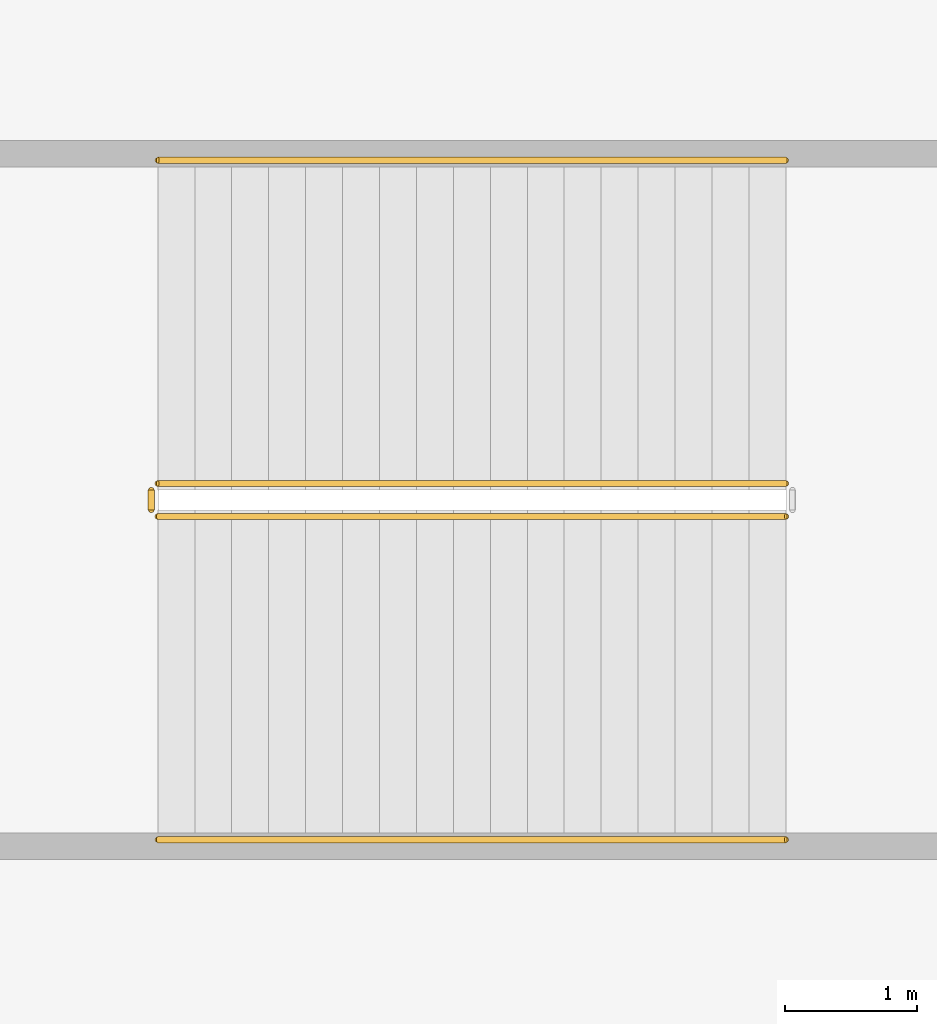
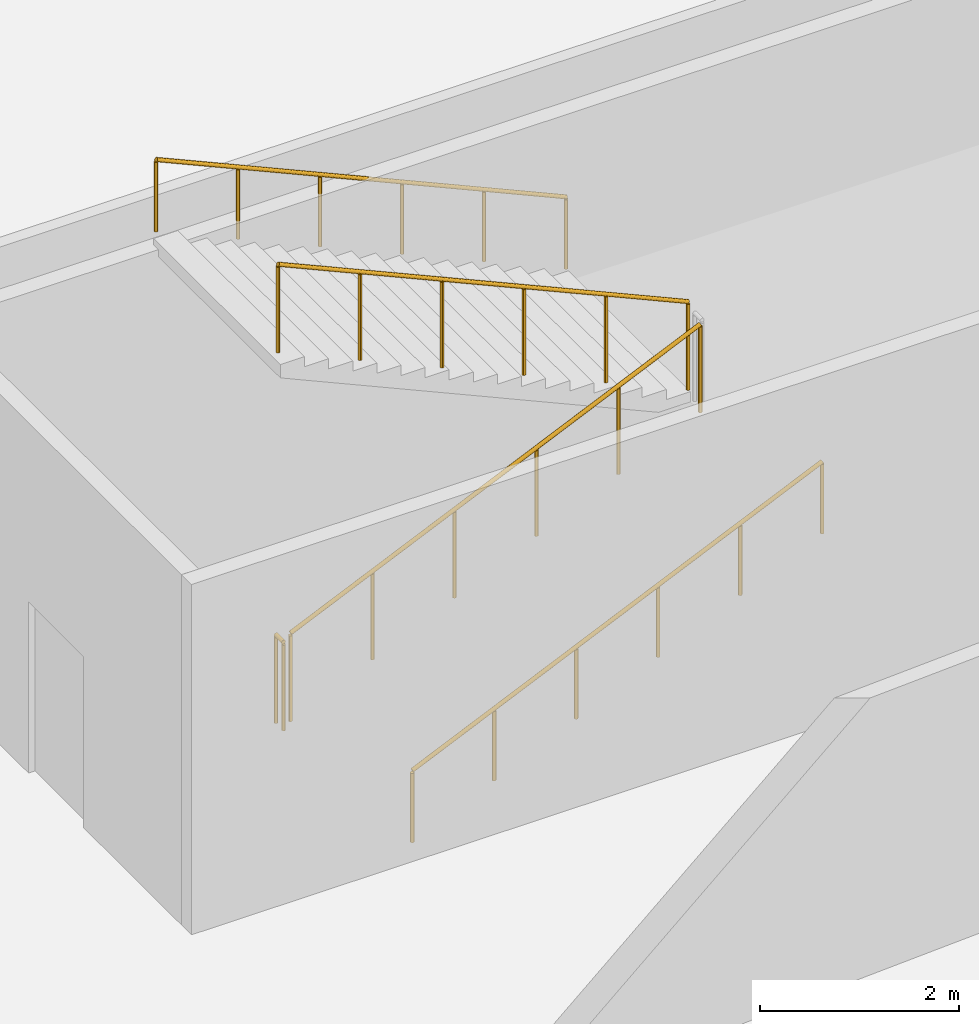
# One storey, part 18 of 21: 5 railings.
"""IFC4 building model written with IfcOpenShell, lengths in metres."""

import ifcopenshell
import ifcopenshell.guid

model = None  # the IFC model being written
_history = None  # IfcOwnerHistory: only IFC2X3 demands one
_inside = {}  # id of a spatial element -> (the spatial element, [elements in it])
_under = {}  # id of a project, library or spatial element -> (it, [spatial elements below it])
_declared = {}  # id of a project -> (the project, [libraries it declares])
_typed = {}  # id of a type object -> (the type object, [elements of that type])
_made_of = {}  # id of a material, layer set ... -> (it, [elements and type objects made of it])


def new_model(schema):
    """Start an empty IFC model of exactly this schema.

    Asked for "IFC4X3", IfcOpenShell would pick the latest addendum, in which some entities
    have other attributes; the version numbers below select the first issue.
    IFC2X3 requires an IfcOwnerHistory on every rooted entity: one is made here for all.
    """
    global model, _history
    if schema == "IFC4X3":
        model = ifcopenshell.file(schema_version=(4, 3, 0, 0))
    else:
        model = ifcopenshell.file(schema=schema)
    _inside.clear()
    _under.clear()
    _declared.clear()
    _typed.clear()
    _made_of.clear()
    _history = None
    if model.schema == "IFC2X3":
        org = make("IfcOrganization", Name="unknown")
        user = make(
            "IfcPersonAndOrganization",
            ThePerson=make("IfcPerson", FamilyName="unknown"),
            TheOrganization=org,
        )
        app = make(
            "IfcApplication",
            ApplicationDeveloper=org,
            Version="unknown",
            ApplicationFullName="unknown",
            ApplicationIdentifier="unknown",
        )
        _history = make(
            "IfcOwnerHistory",
            OwningUser=user,
            OwningApplication=app,
            ChangeAction="ADDED",
            CreationDate=0,
        )
    return model


def make(cls, **values):
    """One entity of the class cls with the attributes given. An attribute that is None is left unset."""
    return model.create_entity(
        cls, **{name: value for name, value in values.items() if value is not None}
    )


def rooted(cls, **values):
    """An entity with a GlobalId (a new one), such as an element, a storey or a relation."""
    return make(cls, GlobalId=ifcopenshell.guid.new(), OwnerHistory=_history, **values)


def si_unit(unit_type, name, prefix=None):
    """IfcSIUnit, for example si_unit("LENGTHUNIT", "METRE", prefix="MILLI")."""
    return make("IfcSIUnit", UnitType=unit_type, Prefix=prefix, Name=name)


def assignment(units):
    """IfcUnitAssignment: the units of a project."""
    return None if units is None else make("IfcUnitAssignment", Units=units)


def point(xyz):
    """IfcCartesianPoint."""
    return None if xyz is None else make("IfcCartesianPoint", Coordinates=xyz)


def direction(xyz):
    """IfcDirection."""
    return None if xyz is None else make("IfcDirection", DirectionRatios=xyz)


def frame(location, z_axis=None, x_axis=None):
    """IfcAxis2Placement3D, a coordinate frame: its origin and axes. An axis left out is left unset."""
    return make(
        "IfcAxis2Placement3D",
        Location=point(location),
        Axis=direction(z_axis),
        RefDirection=direction(x_axis),
    )


def frame_2d(location, x_axis=None):
    """IfcAxis2Placement2D, a coordinate frame in the plane: its origin and x axis."""
    return make(
        "IfcAxis2Placement2D", Location=point(location), RefDirection=direction(x_axis)
    )


def origin():
    """The frame at (0, 0, 0) with its axes left unset."""
    return frame((0.0, 0.0, 0.0))


def origin_2d():
    """The frame at (0, 0) in the plane with its x axis left unset."""
    return frame_2d((0.0, 0.0))


def place(relative_to, where):
    """IfcLocalPlacement: puts the frame where relative to a parent placement (None: the world)."""
    return make(
        "IfcLocalPlacement", PlacementRelTo=relative_to, RelativePlacement=where
    )


def context(
    kind, dimensions, precision=None, world=None, true_north=None, identifier=None
):
    """IfcGeometricRepresentationContext, for example the 3D "Model" context."""
    return make(
        "IfcGeometricRepresentationContext",
        ContextIdentifier=identifier,
        ContextType=kind,
        CoordinateSpaceDimension=dimensions,
        Precision=precision,
        WorldCoordinateSystem=world,
        TrueNorth=true_north,
    )


def subcontext(parent, identifier, kind, view, scale=None):
    """IfcGeometricRepresentationSubContext, for example "Body" below "Model"."""
    return make(
        "IfcGeometricRepresentationSubContext",
        ContextIdentifier=identifier,
        ContextType=kind,
        ParentContext=parent,
        TargetScale=scale,
        TargetView=view,
    )


def project(units=None, contexts=None):
    """IfcProject with its units and contexts."""
    return rooted(
        "IfcProject",
        Name="project",
        RepresentationContexts=contexts,
        UnitsInContext=assignment(units),
    )


def spatial(cls, under=None, at=None, **own):
    """A site, building, storey or space (cls), placed at a placement, below another one or the project."""
    s = rooted(cls, ObjectPlacement=at, **own)
    if under is not None:
        _under.setdefault(under.id(), (under, []))[1].append(s)
    return s


def profile(cls, at=None, kind="AREA", **sizes):
    """A parametric profile (cls). Its sizes go by their IFC names, for example OverallWidth=200.0."""
    return make(cls, ProfileType=kind, Position=at, **sizes)


def circle(**sizes):
    """IfcCircleProfileDef."""
    return profile("IfcCircleProfileDef", **sizes)


def extrude(swept, where, along, depth):
    """IfcExtrudedAreaSolid: the profile swept, set in the frame where, extruded along a direction by depth."""
    return make(
        "IfcExtrudedAreaSolid",
        SweptArea=swept,
        Position=where,
        ExtrudedDirection=direction(along),
        Depth=depth,
    )


def shape(context_of_items, identifier, shape_type, items):
    """IfcShapeRepresentation: the items that make up one representation, for example the "Body"."""
    return make(
        "IfcShapeRepresentation",
        ContextOfItems=context_of_items,
        RepresentationIdentifier=identifier,
        RepresentationType=shape_type,
        Items=items,
    )


def source(mapping_origin, context_of_items, identifier, shape_type, items):
    """IfcRepresentationMap: a shape defined once, which mapped items show again and again."""
    return make(
        "IfcRepresentationMap",
        MappingOrigin=mapping_origin,
        MappedRepresentation=shape(context_of_items, identifier, shape_type, items),
    )


def transform(
    local_origin,
    x_axis=None,
    y_axis=None,
    z_axis=None,
    scale=None,
    scale2=None,
    scale3=None,
    uniform=True,
):
    """IfcCartesianTransformationOperator3D, or its non-uniform kind. x_axis, y_axis, z_axis: its Axis1, 2, 3."""
    if uniform:
        return make(
            "IfcCartesianTransformationOperator3D",
            Axis1=direction(x_axis),
            Axis2=direction(y_axis),
            LocalOrigin=point(local_origin),
            Scale=scale,
            Axis3=direction(z_axis),
        )
    return make(
        "IfcCartesianTransformationOperator3DnonUniform",
        Axis1=direction(x_axis),
        Axis2=direction(y_axis),
        LocalOrigin=point(local_origin),
        Scale=scale,
        Axis3=direction(z_axis),
        Scale2=scale2,
        Scale3=scale3,
    )


def mapped(mapping_source, mapping_target):
    """IfcMappedItem: shows the shape of a source again, moved by a transform."""
    return make(
        "IfcMappedItem", MappingSource=mapping_source, MappingTarget=mapping_target
    )


def material(Name=None, Category=None):
    """IfcMaterial."""
    return make("IfcMaterial", Name=Name, Category=Category)


def made_of(thing, what):
    """Note that an element or type object is made of a material, layer set ...; save() writes the relation."""
    if what is not None:
        _made_of.setdefault(what.id(), (what, []))[1].append(thing)
    return thing


def type_object(cls, material=None, **own):
    """A type object (cls), such as IfcWallType, which elements share."""
    return made_of(rooted(cls, **own), material)


def element(
    cls,
    number,
    at=None,
    inside=None,
    cuts=None,
    type_object=None,
    material=None,
    context=None,
    identifier="Body",
    shape_type=None,
    held_by="IfcProductDefinitionShape",
    body=None,
    shapes=None,
    **own,
):
    """One element of the class cls, such as IfcWall. Its Tag is "e" and its number.

    at: its placement. inside: the storey or other place that contains it. cuts: it is an
    opening in that element (IfcRelVoidsElement). A single representation is given by context,
    identifier, shape_type and body (its items); several are given by shapes. held_by: the class
    of the entity that holds the representations. save() writes the other relations.
    """
    e = rooted(cls, Tag="e%d" % number, ObjectPlacement=at, **own)
    if body is not None:
        shapes = [shape(context, identifier, shape_type, body)]
    if shapes is not None:
        e.Representation = make(held_by, Representations=shapes)
    if inside is not None:
        _inside.setdefault(inside.id(), (inside, []))[1].append(e)
    if cuts is not None:
        rooted(
            "IfcRelVoidsElement", RelatingBuildingElement=cuts, RelatedOpeningElement=e
        )
    if type_object is not None:
        _typed.setdefault(type_object.id(), (type_object, []))[1].append(e)
    return made_of(e, material)


def aggregate(whole, parts):
    """IfcRelAggregates: a whole, such as a stair, and the parts it consists of."""
    return rooted("IfcRelAggregates", RelatingObject=whole, RelatedObjects=parts)


def save(model, path):
    """Write the relations noted so far, then the file.

    IfcRelAggregates (storeys below a building ...), IfcRelContainedInSpatialStructure (elements
    in a storey), IfcRelDefinesByType, IfcRelAssociatesMaterial and IfcRelDeclares: one each for
    every whole, place, type object, material and project.
    """
    for whole, parts in _under.values():
        aggregate(whole, parts)
    for where, things in _inside.values():
        rooted(
            "IfcRelContainedInSpatialStructure",
            RelatedElements=things,
            RelatingStructure=where,
        )
    for kind, things in _typed.values():
        rooted("IfcRelDefinesByType", RelatedObjects=things, RelatingType=kind)
    for what, things in _made_of.values():
        rooted("IfcRelAssociatesMaterial", RelatedObjects=things, RelatingMaterial=what)
    for by, libraries in _declared.values():
        rooted("IfcRelDeclares", RelatingContext=by, RelatedDefinitions=libraries)
    model.write(path)


model = new_model("IFC4")

# Units and contexts
model_context = context("Model", 3, precision=1e-05, world=origin(), true_north=direction((0.0, 1.0)))
body_context = subcontext(model_context, "Body", "Model", "MODEL_VIEW")
ifc_project = project(units=[si_unit("LENGTHUNIT", "METRE"), si_unit("AREAUNIT", "SQUARE_METRE"), si_unit("VOLUMEUNIT", "CUBIC_METRE"), si_unit("PLANEANGLEUNIT", "RADIAN"), si_unit("MASSUNIT", "GRAM", prefix="KILO")], contexts=[model_context])

# Site, building, storey
site_placement = place(None, origin())
site = spatial("IfcSite", under=ifc_project, at=site_placement, CompositionType="ELEMENT")
building_placement = place(site_placement, origin())
building = spatial("IfcBuilding", under=site, at=building_placement, Name="Embergate Tower", CompositionType="ELEMENT")
storey_placement = place(building_placement, frame((0.0, 0.0, 33.5)))
storey = spatial("IfcBuildingStorey", under=building, at=storey_placement, Name="L04", CompositionType="ELEMENT", Elevation=33.5)

# Railings
ifc_material = material(Name="Steel", Category="steel")
railing_type_1 = type_object("IfcRailingType", Name="Podium stair guard 1100", PredefinedType="GUARDRAIL", material=ifc_material)
shared_shape_1 = source(origin(), body_context, "Body", "SweptSolid", [
    extrude(circle(Radius=0.02392578125, at=origin_2d()), frame((0.0, 0.0, 1.076171875), z_axis=(0.0, 1.0, 0.0), x_axis=(-1.0, 0.0, 0.0)), (0.0, 0.0, 1.0), 0.14990234375),
    extrude(circle(Radius=0.02099609375, at=origin_2d()), origin(), (0.0, 0.0, 1.0), 1.052001953125),
    extrude(circle(Radius=0.02099609375, at=origin_2d()), frame((0.0, 0.14990234375, 0.0)), (0.0, 0.0, 1.0), 1.052001953125),
])
railing_1_placement = place(storey_placement, frame((20.0, 8.050048828125, 0.0)))
element("IfcRailing", 1, at=railing_1_placement, inside=storey, type_object=railing_type_1, Name="L04 P1 stair guard 4", PredefinedType="GUARDRAIL", context=body_context, shape_type="MappedRepresentation", body=[
    mapped(shared_shape_1, transform((0.0, 0.0, 0.0))),
])
shared_shape_2 = source(origin(), body_context, "Body", "SweptSolid", [
    extrude(circle(Radius=0.02392578125, at=origin_2d()), frame((0.0, 0.0, 1.076171875), z_axis=(0.913138193756, 0.0, 0.40765014302), x_axis=(0.0, 1.0, 0.0)), (0.0, 0.0, 1.0), 5.212890625),
    extrude(circle(Radius=0.02099609375, at=origin_2d()), origin(), (0.0, 0.0, 1.0), 1.052001953125),
    extrude(circle(Radius=0.02099609375, at=origin_2d()), frame((0.951904296875, 0.0, 0.425048828125)), (0.0, 0.0, 1.0), 1.052001953125),
    extrude(circle(Radius=0.02099609375, at=origin_2d()), frame((1.904052734375, 0.0, 0.85009765625)), (0.0, 0.0, 1.0), 1.052001953125),
    extrude(circle(Radius=0.02099609375, at=origin_2d()), frame((2.85595703125, 0.0, 1.27490234375)), (0.0, 0.0, 1.0), 1.052001953125),
    extrude(circle(Radius=0.02099609375, at=origin_2d()), frame((3.80810546875, 0.0, 1.699951171875)), (0.0, 0.0, 1.0), 1.052001953125),
    extrude(circle(Radius=0.02099609375, at=origin_2d()), frame((4.760009765625, 0.0, 2.125)), (0.0, 0.0, 1.0), 1.052001953125),
])
railing_2_placement = place(storey_placement, frame((20.050048828125, 8.0, 0.125)))
element("IfcRailing", 2, at=railing_2_placement, inside=storey, type_object=railing_type_1, Name="L04 P1 stair guard 1", PredefinedType="GUARDRAIL", context=body_context, shape_type="MappedRepresentation", body=[
    mapped(shared_shape_2, transform((0.0, 0.0, 0.0))),
])
shared_shape_3 = source(origin(), body_context, "Body", "SweptSolid", [
    extrude(circle(Radius=0.02392578125, at=origin_2d()), frame((0.0, 0.0, 1.076171875), z_axis=(-0.913138193756, 0.0, 0.40765014302), x_axis=(0.0, -1.0, 0.0)), (0.0, 0.0, 1.0), 5.212890625),
    extrude(circle(Radius=0.02099609375, at=origin_2d()), origin(), (0.0, 0.0, 1.0), 1.052001953125),
    extrude(circle(Radius=0.02099609375, at=origin_2d()), frame((-0.951904296875, 0.0, 0.425048828125)), (0.0, 0.0, 1.0), 1.052001953125),
    extrude(circle(Radius=0.02099609375, at=origin_2d()), frame((-1.904052734375, 0.0, 0.85009765625)), (0.0, 0.0, 1.0), 1.052001953125),
    extrude(circle(Radius=0.02099609375, at=origin_2d()), frame((-2.85595703125, 0.0, 1.27490234375)), (0.0, 0.0, 1.0), 1.052001953125),
    extrude(circle(Radius=0.02099609375, at=origin_2d()), frame((-3.80810546875, 0.0, 1.699951171875)), (0.0, 0.0, 1.0), 1.052001953125),
    extrude(circle(Radius=0.02099609375, at=origin_2d()), frame((-4.760009765625, 0.0, 2.125)), (0.0, 0.0, 1.0), 1.052001953125),
])
railing_3_placement = place(storey_placement, frame((24.81005859375, 8.25, 2.375)))
element("IfcRailing", 3, at=railing_3_placement, inside=storey, type_object=railing_type_1, Name="L04 P1 stair guard 3", PredefinedType="GUARDRAIL", context=body_context, shape_type="MappedRepresentation", body=[
    mapped(shared_shape_3, transform((0.0, 0.0, 0.0))),
])
railing_type_2 = type_object("IfcRailingType", Name="Podium stair handrail 900", PredefinedType="HANDRAIL", material=ifc_material)
shared_shape_4 = source(origin(), body_context, "Body", "SweptSolid", [
    extrude(circle(Radius=0.02392578125, at=origin_2d()), frame((0.0, 0.0, 0.8759765625), z_axis=(0.913138193756, 0.0, 0.40765014302), x_axis=(0.0, 1.0, 0.0)), (0.0, 0.0, 1.0), 5.212890625),
    extrude(circle(Radius=0.02099609375, at=origin_2d()), origin(), (0.0, 0.0, 1.0), 0.851806640625),
    extrude(circle(Radius=0.02099609375, at=origin_2d()), frame((0.951904296875, 0.0, 0.425048828125)), (0.0, 0.0, 1.0), 0.851806640625),
    extrude(circle(Radius=0.02099609375, at=origin_2d()), frame((1.904052734375, 0.0, 0.85009765625)), (0.0, 0.0, 1.0), 0.851806640625),
    extrude(circle(Radius=0.02099609375, at=origin_2d()), frame((2.85595703125, 0.0, 1.27490234375)), (0.0, 0.0, 1.0), 0.851806640625),
    extrude(circle(Radius=0.02099609375, at=origin_2d()), frame((3.80810546875, 0.0, 1.699951171875)), (0.0, 0.0, 1.0), 0.851806640625),
    extrude(circle(Radius=0.02099609375, at=origin_2d()), frame((4.760009765625, 0.0, 2.125)), (0.0, 0.0, 1.0), 0.851806640625),
])
railing_4_placement = place(storey_placement, frame((20.050048828125, 5.550048828125, 0.125)))
element("IfcRailing", 4, at=railing_4_placement, inside=storey, type_object=railing_type_2, Name="L04 P1 stair handrail 1", PredefinedType="HANDRAIL", context=body_context, shape_type="MappedRepresentation", body=[
    mapped(shared_shape_4, transform((0.0, 0.0, 0.0))),
])
shared_shape_5 = source(origin(), body_context, "Body", "SweptSolid", [
    extrude(circle(Radius=0.02392578125, at=origin_2d()), frame((0.0, 0.0, 0.8759765625), z_axis=(-0.913138193756, 0.0, 0.40765014302), x_axis=(0.0, -1.0, 0.0)), (0.0, 0.0, 1.0), 5.212890625),
    extrude(circle(Radius=0.02099609375, at=origin_2d()), origin(), (0.0, 0.0, 1.0), 0.851806640625),
    extrude(circle(Radius=0.02099609375, at=origin_2d()), frame((-0.951904296875, 0.0, 0.425048828125)), (0.0, 0.0, 1.0), 0.851806640625),
    extrude(circle(Radius=0.02099609375, at=origin_2d()), frame((-1.904052734375, 0.0, 0.85009765625)), (0.0, 0.0, 1.0), 0.851806640625),
    extrude(circle(Radius=0.02099609375, at=origin_2d()), frame((-2.85595703125, 0.0, 1.27490234375)), (0.0, 0.0, 1.0), 0.851806640625),
    extrude(circle(Radius=0.02099609375, at=origin_2d()), frame((-3.80810546875, 0.0, 1.699951171875)), (0.0, 0.0, 1.0), 0.851806640625),
    extrude(circle(Radius=0.02099609375, at=origin_2d()), frame((-4.760009765625, 0.0, 2.125)), (0.0, 0.0, 1.0), 0.851806640625),
])
railing_5_placement = place(storey_placement, frame((24.81005859375, 10.699951171875, 2.375)))
element("IfcRailing", 5, at=railing_5_placement, inside=storey, type_object=railing_type_2, Name="L04 P1 stair handrail 2", PredefinedType="HANDRAIL", context=body_context, shape_type="MappedRepresentation", body=[
    mapped(shared_shape_5, transform((0.0, 0.0, 0.0))),
])

save(model, "model.ifc")
